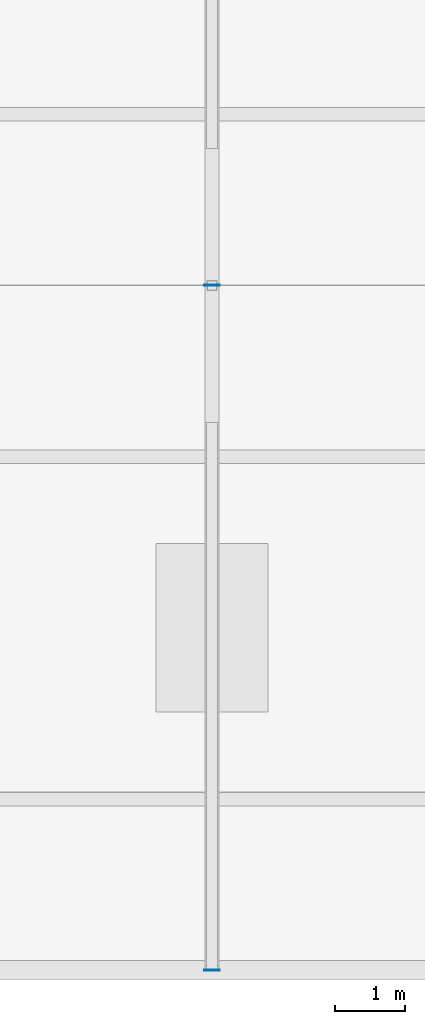
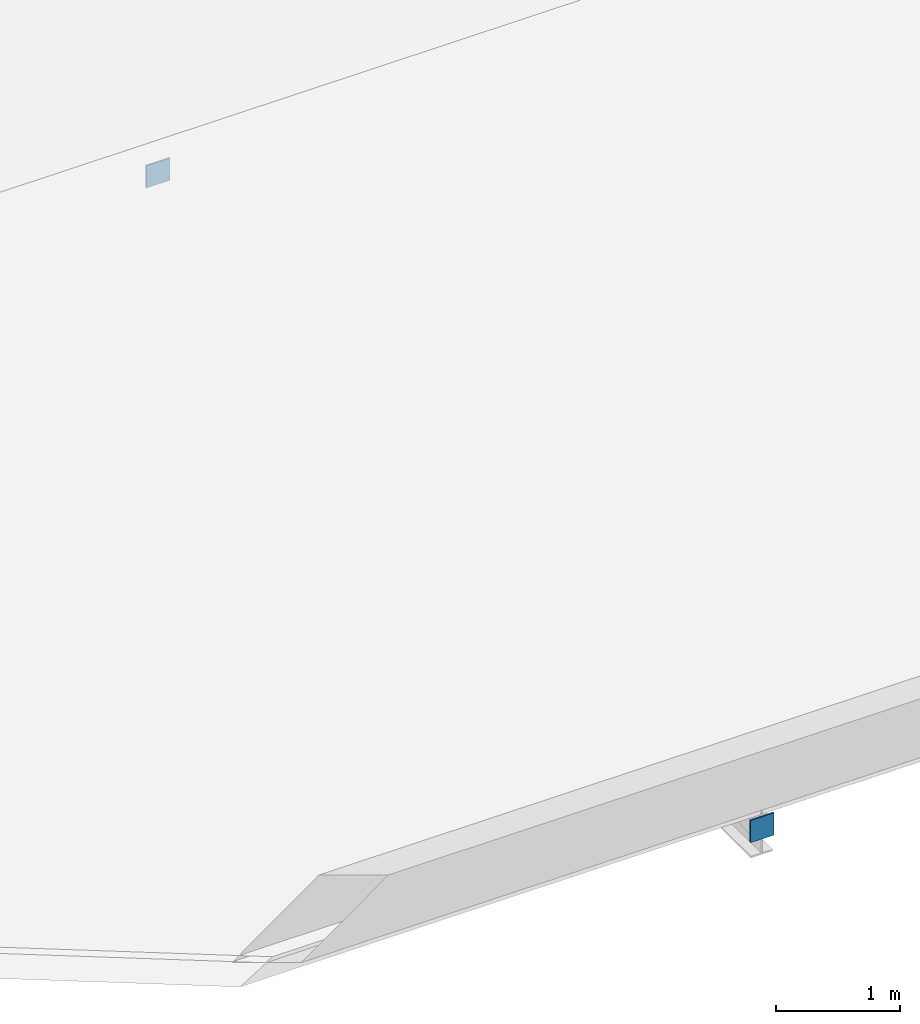
# One storey, part 7 of 13: 2 plates.
"""IFC4 building model written with IfcOpenShell, lengths in metres."""

from ifc_helpers import new_model, si_unit, direction, frame, origin, origin_2d, place, context, subcontext, project, spatial, rectangle, extrude, material, layer, layer_set, type_object, element, save


model = new_model("IFC4")

# Units and contexts
model_context = context("Model", 3, precision=1e-05, world=origin(), true_north=direction((0.0, 1.0)))
body_context = subcontext(model_context, "Body", "Model", "MODEL_VIEW")
ifc_project = project(units=[si_unit("LENGTHUNIT", "METRE"), si_unit("AREAUNIT", "SQUARE_METRE"), si_unit("VOLUMEUNIT", "CUBIC_METRE"), si_unit("PLANEANGLEUNIT", "RADIAN"), si_unit("MASSUNIT", "GRAM", prefix="KILO")], contexts=[model_context])

# Site, building, storey
site_placement = place(None, origin())
site = spatial("IfcSite", under=ifc_project, at=site_placement, CompositionType="ELEMENT")
building_placement = place(site_placement, origin())
building = spatial("IfcBuilding", under=site, at=building_placement, Name="Celorna Specialist Clinic", CompositionType="ELEMENT")
storey_placement = place(building_placement, frame((0.0, 0.0, 27.300048828125)))
storey = spatial("IfcBuildingStorey", under=building, at=storey_placement, Name="RF", CompositionType="ELEMENT", Elevation=27.300048828125)

# Plates
ifc_material = material(Name="Steel S355", Category="steel")
ifc_layer = layer(ifc_material, 0.01611328125, Name="Steel S355")
ifc_layer_set = layer_set([ifc_layer], Name="Steel S355")
plate_type = type_object("IfcPlateType", Name="EP-04", PredefinedType="SHEET", material=ifc_layer_set)
for number, where, z_axis, x_axis, name in (
    (1, (70.199951171875, 96.5, -0.39208984375), (0.0, 0.0, 1.0), (1.0, 0.0, 0.0), "Rafter chord cap plate ROOF-V4-SOUTH"),
    (2, (70.199951171875, 106.25, 0.14794921875), (0.0, 0.0, 1.0), (1.0, 0.0, 0.0), "Rafter chord cap plate ROOF-V4-SOUTH"),
):
    element("IfcPlate", number, at=place(storey_placement, frame(where, z_axis=z_axis, x_axis=x_axis)), inside=storey, type_object=plate_type, Name=name, PredefinedType="SHEET", context=body_context, shape_type="SweptSolid", body=[
        extrude(rectangle(XDim=0.219970703125, YDim=0.013916015625, at=origin_2d()), origin(), (0.0, 0.0, 1.0), 0.219970703125),
    ])

save(model, "model.ifc")
